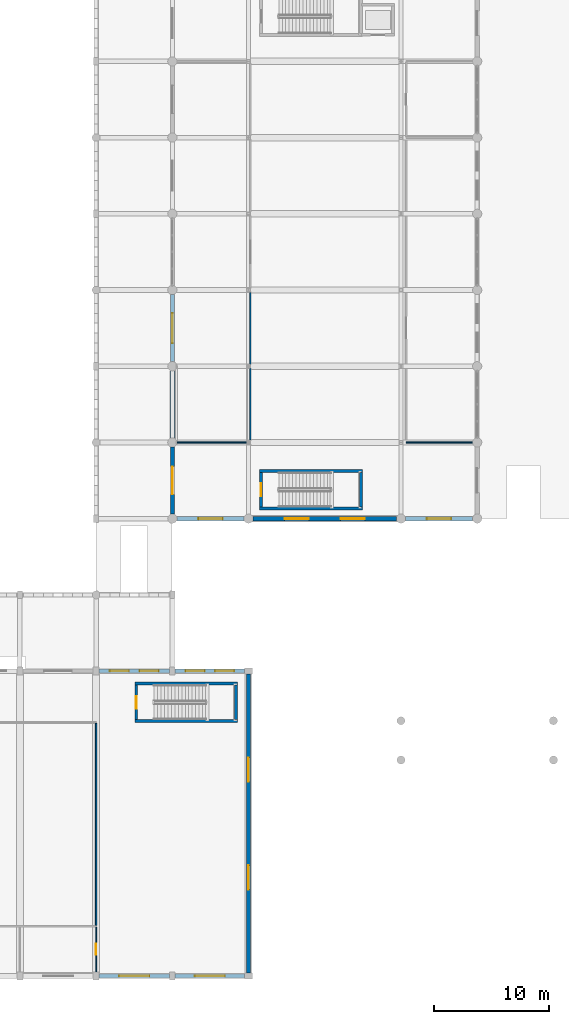
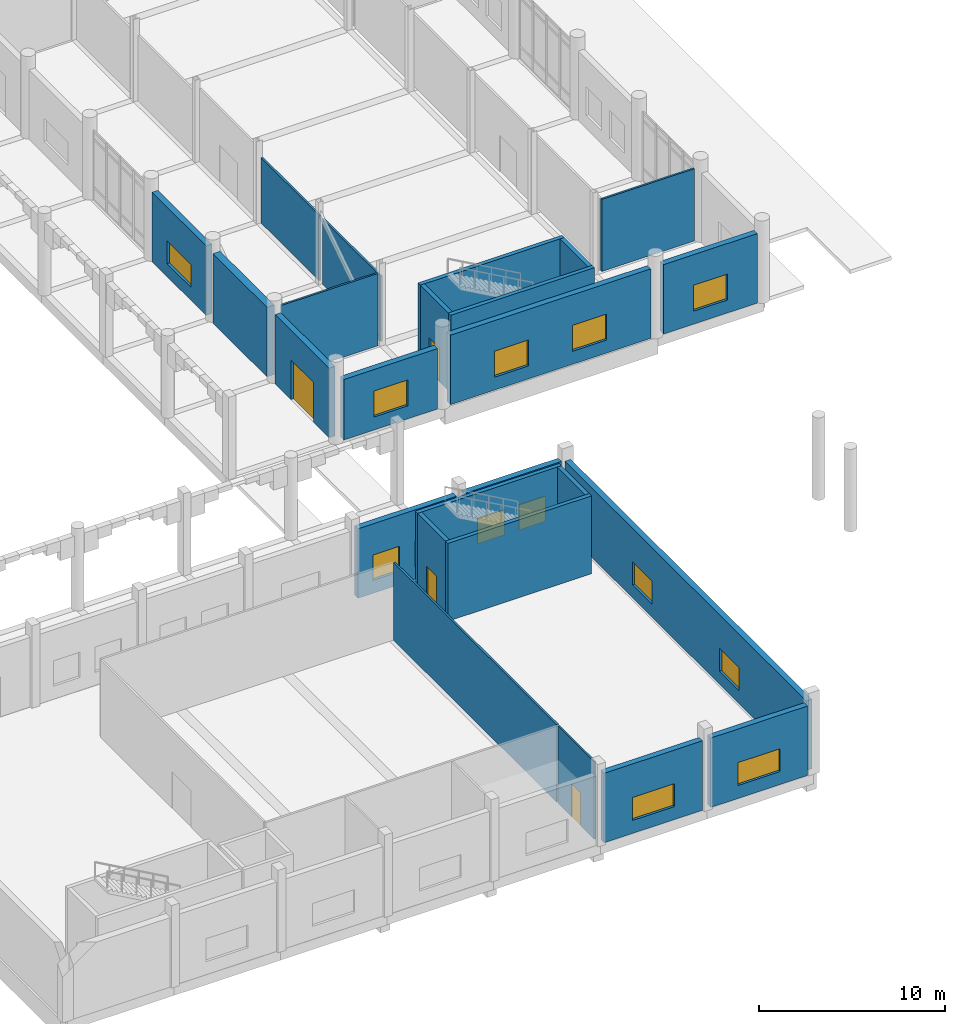
# One storey, part 45 of 72: 25 walls, 13 windows, 4 doors, 17 openings.
"""IFC4 building model written with IfcOpenShell, lengths in metres."""

from ifc_helpers import new_model, si_unit, direction, frame, frame_2d, origin, place, context, subcontext, project, spatial, rectangle, extrude, material, layer, layer_set, type_object, element, fill, save


model = new_model("IFC4")

# Units and contexts
model_context = context("Model", 3, precision=1e-05, world=origin(), true_north=direction((0.0, 1.0)))
body_context = subcontext(model_context, "Body", "Model", "MODEL_VIEW")
ifc_project = project(units=[si_unit("LENGTHUNIT", "METRE"), si_unit("AREAUNIT", "SQUARE_METRE"), si_unit("VOLUMEUNIT", "CUBIC_METRE"), si_unit("PLANEANGLEUNIT", "RADIAN"), si_unit("MASSUNIT", "GRAM", prefix="KILO")], contexts=[model_context])

# Site, building, storey
site_placement = place(None, origin())
site = spatial("IfcSite", under=ifc_project, at=site_placement, CompositionType="ELEMENT")
building_placement = place(site_placement, origin())
building = spatial("IfcBuilding", under=site, at=building_placement, Name="Dornvale Research Institute", CompositionType="ELEMENT")
storey_placement = place(building_placement, origin())
storey = spatial("IfcBuildingStorey", under=building, at=storey_placement, Name="L00", CompositionType="ELEMENT", Elevation=0.0)

# Walls
ifc_material_1 = material(Name="Acoustic Insulated Double-Stud Laboratory Partition")
ifc_layer_1 = layer(ifc_material_1, 0.1201171875)
ifc_layer_set_1 = layer_set([ifc_layer_1], Name="Acoustic Insulated Double-Stud Laboratory Partition")
wall_type_1 = type_object("IfcWallType", Name="Partition_Dry_120", PredefinedType="PARTITIONING", material=ifc_layer_set_1)
wall_1_placement = place(storey_placement, frame((40.02001953125, 46.199951171875, 0.0), z_axis=(0.0, 0.0, 1.0), x_axis=(1.0, 0.0, 0.0)))
element("IfcWall", 1, at=wall_1_placement, inside=storey, type_object=wall_type_1, Name="L00 V2 interior partition #130", PredefinedType="PARTITIONING", context=body_context, shape_type="SweptSolid", body=[
    extrude(rectangle(XDim=5.98193359375, YDim=0.1201171875, at=frame_2d((2.990966796875, 0.0))), origin(), (0.0, 0.0, 1.0), 4.72998046875),
])
for number, where, z_axis, x_axis, name in (
    (2, (46.35009765625, 46.39794921875, 0.0), (0.0, 0.0, 1.0), (0.0, 1.0, 0.0), "L00 V2 interior partition #132"),
    (3, (46.35009765625, 52.972412109375, 0.0), (0.0, 0.0, 1.0), (0.0, 1.0, 0.0), "L00 V2 interior partition #133"),
):
    element("IfcWall", number, at=place(storey_placement, frame(where, z_axis=z_axis, x_axis=x_axis)), inside=storey, type_object=wall_type_1, Name=name, PredefinedType="PARTITIONING", context=body_context, shape_type="SweptSolid", body=[
        extrude(rectangle(XDim=6.2294921875, YDim=0.1201171875, at=frame_2d((3.11474609375, 0.0))), origin(), (0.0, 0.0, 1.0), 4.280029296875),
    ])
wall_2_placement = place(storey_placement, frame((59.85009765625, 46.199951171875, 0.0), z_axis=(0.0, 0.0, 1.0), x_axis=(1.0, 0.0, 0.0)))
element("IfcWall", 4, at=wall_2_placement, inside=storey, type_object=wall_type_1, Name="L00 V2 interior partition #137", PredefinedType="PARTITIONING", context=body_context, shape_type="SweptSolid", body=[
    extrude(rectangle(XDim=5.72998046875, YDim=0.1201171875, at=frame_2d((2.864990234375, 0.0))), origin(), (0.0, 0.0, 1.0), 4.72998046875),
])
wall_3_placement = place(storey_placement, frame((33.0, 4.375, 0.0), z_axis=(0.0, 0.0, 1.0), x_axis=(0.0, 1.0, 0.0)))
element("IfcWall", 5, at=wall_3_placement, inside=storey, type_object=wall_type_1, Name="L00 V1 interior partition #145", PredefinedType="PARTITIONING", context=body_context, shape_type="SweptSolid", body=[
    extrude(rectangle(XDim=17.5, YDim=0.1201171875, at=frame_2d((8.75, 0.0))), origin(), (0.0, 0.0, 1.0), 5.080078125),
])

# Wall, opening, door
ifc_material_2 = material(Name="Acoustic Insulated Double-Stud Laboratory Partition")
ifc_layer_2 = layer(ifc_material_2, 0.10009765625)
ifc_layer_set_2 = layer_set([ifc_layer_2], Name="Acoustic Insulated Double-Stud Laboratory Partition")
wall_type_2 = type_object("IfcWallType", Name="Partition_Office_100", PredefinedType="PARTITIONING", material=ifc_layer_set_2)
wall_4_placement = place(storey_placement, frame((33.0, 0.3701171875, 0.0), z_axis=(0.0, 0.0, 1.0), x_axis=(0.0, 1.0, 0.0)))
wall_4 = element("IfcWall", 6, at=wall_4_placement, inside=storey, type_object=wall_type_2, Name="L00 V1 interior partition #148", PredefinedType="PARTITIONING", context=body_context, shape_type="SweptSolid", body=[
    extrude(rectangle(XDim=3.85498046875, YDim=0.10009765625, at=frame_2d((1.927490234375, 0.0))), origin(), (0.0, 0.0, 1.0), 5.080078125),
])
opening_1_placement = place(wall_4_placement, frame((1.449951171875, 0.0, 0.0)))
opening_1 = element("IfcOpeningElement", 7, at=opening_1_placement, cuts=wall_4, Name="Opening ID-22", PredefinedType="OPENING", context=body_context, shape_type="SweptSolid", body=[
    extrude(rectangle(XDim=0.9599609375, YDim=2.14990234375, at=frame_2d((0.47998046875, 1.074951171875))), frame((0.0, 0.06494140625, 0.0), z_axis=(0.0, -1.0, 0.0), x_axis=(1.0, 0.0, 0.0)), (0.0, 0.0, 1.0), 0.130126953125),
])
ifc_material_3 = material(Name="Phenolic-Faced Solid-Core Laboratory Door Assembly")
door_type_1 = type_object("IfcDoorType", Name="Door_Office_960x2150", OperationType="SINGLE_SWING_LEFT", PredefinedType="DOOR", material=ifc_material_3)
door_1_placement = place(opening_1_placement, origin())
door_1 = element("IfcDoor", 8, at=door_1_placement, inside=storey, type_object=door_type_1, Name="L00 Speaker Green Room and Preparation Suite door #60", OperationType="SINGLE_SWING_LEFT", OverallHeight=2.14990234375, OverallWidth=0.9599609375, PredefinedType="DOOR", context=body_context, shape_type="SweptSolid", body=[
    extrude(rectangle(XDim=0.9599609375, YDim=2.14990234375, at=frame_2d((0.47998046875, 1.074951171875))), frame((0.0, 0.02490234375, 0.0), z_axis=(0.0, -1.0, 0.0), x_axis=(1.0, 0.0, 0.0)), (0.0, 0.0, 1.0), 0.050048828125),
])
fill(opening_1, door_1)

# Walls
ifc_material_4 = material(Name="Concrete f'c 45 MPa (C35/45)", Category="concrete")
ifc_layer_3 = layer(ifc_material_4, 0.25)
ifc_layer_set_3 = layer_set([ifc_layer_3], Name="Concrete f'c 45 MPa (C35/45)")
wall_type_3 = type_object("IfcWallType", Name="ShearWall_Core_250", PredefinedType="SHEAR", material=ifc_layer_set_3)
for number, where, z_axis, x_axis, name in (
    (9, (47.14990234375, 40.47509765625, 0.0), (0.0, 0.0, 1.0), (1.0, 0.0, 0.0), "L00 ST-7 shaft shear wall south"),
    (10, (47.14990234375, 43.72509765625, 0.0), (0.0, 0.0, 1.0), (1.0, 0.0, 0.0), "L00 ST-7 shaft shear wall north"),
):
    element("IfcWall", number, at=place(storey_placement, frame(where, z_axis=z_axis, x_axis=x_axis)), inside=storey, type_object=wall_type_3, Name=name, PredefinedType="SHEAR", context=body_context, shape_type="SweptSolid", body=[
        extrude(rectangle(XDim=8.900146484375, YDim=0.25, at=frame_2d((4.4501953125, 0.0))), origin(), (0.0, 0.0, 1.0), 5.10009765625),
    ])

# Wall, opening, door
wall_5_placement = place(storey_placement, frame((47.27490234375, 40.60009765625, 0.0), z_axis=(0.0, 0.0, 1.0), x_axis=(0.0, 1.0, 0.0)))
wall_5 = element("IfcWall", 11, at=wall_5_placement, inside=storey, type_object=wall_type_3, Name="L00 ST-7 shaft shear wall west", PredefinedType="SHEAR", context=body_context, shape_type="SweptSolid", body=[
    extrude(rectangle(XDim=3.0, YDim=0.25, at=frame_2d((1.5, 0.0))), origin(), (0.0, 0.0, 1.0), 5.10009765625),
])
opening_2_placement = place(wall_5_placement, frame((0.93994140625, 0.0, 0.0)))
opening_2 = element("IfcOpeningElement", 12, at=opening_2_placement, cuts=wall_5, Name="Opening SD-01", PredefinedType="OPENING", context=body_context, shape_type="SweptSolid", body=[
    extrude(rectangle(XDim=1.1201171875, YDim=2.199951171875, at=frame_2d((0.56005859375, 1.10009765625))), frame((0.0, 0.139892578125, 0.0), z_axis=(0.0, -1.0, 0.0), x_axis=(1.0, 0.0, 0.0)), (0.0, 0.0, 1.0), 0.280029296875),
])
ifc_material_5 = material(Name="Insulated Fire-Rated Hollow Metal Door Assembly")
door_type_2 = type_object("IfcDoorType", Name="Door_Stair_1120x2200", OperationType="SINGLE_SWING_LEFT", PredefinedType="DOOR", material=ifc_material_5)
door_2_placement = place(opening_2_placement, origin())
door_2 = element("IfcDoor", 13, at=door_2_placement, inside=storey, type_object=door_type_2, Name="L00 ST-7 exit stair door #51", OperationType="SINGLE_SWING_RIGHT", OverallHeight=2.199951171875, OverallWidth=1.1201171875, PredefinedType="DOOR", context=body_context, shape_type="SweptSolid", body=[
    extrude(rectangle(XDim=1.1201171875, YDim=2.199951171875, at=frame_2d((0.56005859375, 1.10009765625))), frame((0.0, 0.02490234375, 0.0), z_axis=(0.0, -1.0, 0.0), x_axis=(1.0, 0.0, 0.0)), (0.0, 0.0, 1.0), 0.050048828125),
])
fill(opening_2, door_2)

# Walls
wall_6_placement = place(storey_placement, frame((55.925048828125, 40.60009765625, 0.0), z_axis=(0.0, 0.0, 1.0), x_axis=(0.0, 1.0, 0.0)))
element("IfcWall", 14, at=wall_6_placement, inside=storey, type_object=wall_type_3, Name="L00 ST-7 shaft shear wall east", PredefinedType="SHEAR", context=body_context, shape_type="SweptSolid", body=[
    extrude(rectangle(XDim=3.0, YDim=0.25, at=frame_2d((1.5, 0.0))), origin(), (0.0, 0.0, 1.0), 5.10009765625),
])
for number, where, z_axis, x_axis, name in (
    (15, (36.35009765625, 22.074951171875, 0.0), (0.0, 0.0, 1.0), (1.0, 0.0, 0.0), "L00 ST-10 shaft shear wall south"),
    (16, (36.35009765625, 25.324951171875, 0.0), (0.0, 0.0, 1.0), (1.0, 0.0, 0.0), "L00 ST-10 shaft shear wall north"),
):
    element("IfcWall", number, at=place(storey_placement, frame(where, z_axis=z_axis, x_axis=x_axis)), inside=storey, type_object=wall_type_3, Name=name, PredefinedType="SHEAR", context=body_context, shape_type="SweptSolid", body=[
        extrude(rectangle(XDim=8.89990234375, YDim=0.25, at=frame_2d((4.449951171875, 0.0))), origin(), (0.0, 0.0, 1.0), 5.10009765625),
    ])

# Wall, opening, door
wall_7_placement = place(storey_placement, frame((36.47509765625, 22.199951171875, 0.0), z_axis=(0.0, 0.0, 1.0), x_axis=(0.0, 1.0, 0.0)))
wall_7 = element("IfcWall", 17, at=wall_7_placement, inside=storey, type_object=wall_type_3, Name="L00 ST-10 shaft shear wall west", PredefinedType="SHEAR", context=body_context, shape_type="SweptSolid", body=[
    extrude(rectangle(XDim=3.0, YDim=0.25, at=frame_2d((1.5, 0.0))), origin(), (0.0, 0.0, 1.0), 5.10009765625),
])
opening_3_placement = place(wall_7_placement, frame((0.9599609375, 0.0, 0.0)))
opening_3 = element("IfcOpeningElement", 18, at=opening_3_placement, cuts=wall_7, Name="Opening SD-02", PredefinedType="OPENING", context=body_context, shape_type="SweptSolid", body=[
    extrude(rectangle(XDim=1.080078125, YDim=2.199951171875, at=frame_2d((0.5400390625, 1.10009765625))), frame((0.0, 0.139892578125, 0.0), z_axis=(0.0, -1.0, 0.0), x_axis=(1.0, 0.0, 0.0)), (0.0, 0.0, 1.0), 0.280029296875),
])
ifc_material_6 = material(Name="Insulated Fire-Rated Hollow Metal Door Assembly")
door_type_3 = type_object("IfcDoorType", Name="Door_Stair_1080x2200", OperationType="SINGLE_SWING_LEFT", PredefinedType="DOOR", material=ifc_material_6)
door_3_placement = place(opening_3_placement, origin())
door_3 = element("IfcDoor", 19, at=door_3_placement, inside=storey, type_object=door_type_3, Name="L00 ST-10 exit stair door #62", OperationType="SINGLE_SWING_LEFT", OverallHeight=2.199951171875, OverallWidth=1.080078125, PredefinedType="DOOR", context=body_context, shape_type="SweptSolid", body=[
    extrude(rectangle(XDim=1.080078125, YDim=2.199951171875, at=frame_2d((0.5400390625, 1.10009765625))), frame((0.0, 0.02490234375, 0.0), z_axis=(0.0, -1.0, 0.0), x_axis=(1.0, 0.0, 0.0)), (0.0, 0.0, 1.0), 0.050048828125),
])
fill(opening_3, door_3)

# Walls
wall_8_placement = place(storey_placement, frame((45.125, 22.199951171875, 0.0), z_axis=(0.0, 0.0, 1.0), x_axis=(0.0, 1.0, 0.0)))
element("IfcWall", 20, at=wall_8_placement, inside=storey, type_object=wall_type_3, Name="L00 ST-10 shaft shear wall east", PredefinedType="SHEAR", context=body_context, shape_type="SweptSolid", body=[
    extrude(rectangle(XDim=3.0, YDim=0.25, at=frame_2d((1.5, 0.0))), origin(), (0.0, 0.0, 1.0), 5.10009765625),
])
ifc_material_7 = material(Name="Precast Concrete f'c 40 MPa (C32/40) and Glazed Terracotta Backup Wall", Category="masonry")
ifc_layer_4 = layer(ifc_material_7, 0.449951171875)
ifc_layer_set_4 = layer_set([ifc_layer_4], Name="Precast Concrete f'c 40 MPa (C32/40) and Glazed Terracotta Backup Wall")
wall_type_4 = type_object("IfcWallType", Name="SolidWall_ShearBraceBay_450", PredefinedType="SOLIDWALL", material=ifc_layer_set_4)
wall_9_placement = place(storey_placement, frame((39.60009765625, 46.594970703125, 0.0), z_axis=(0.0, 0.0, 1.0), x_axis=(0.0, 1.0, 0.0)))
element("IfcWall", 21, at=wall_9_placement, inside=storey, type_object=wall_type_4, Name="L00 V2 west exterior wall #50", PredefinedType="SOLIDWALL", context=body_context, shape_type="SweptSolid", body=[
    extrude(rectangle(XDim=5.81005859375, YDim=0.449951171875, at=frame_2d((2.905029296875, 0.0))), origin(), (0.0, 0.0, 1.0), 4.550048828125),
])

# Wall, openings, windows
ifc_material_8 = material(Name="Catalan Pressed Brick and Insulated Cavity Assembly", Category="masonry")
ifc_layer_5 = layer(ifc_material_8, 0.360107421875)
ifc_layer_set_5 = layer_set([ifc_layer_5], Name="Catalan Pressed Brick and Insulated Cavity Assembly")
wall_type_5 = type_object("IfcWallType", Name="StandardWall_BrickCavity_360", PredefinedType="STANDARD", material=ifc_layer_set_5)
wall_10_placement = place(storey_placement, frame((33.25, 26.39990234375, 0.0), z_axis=(0.0, 0.0, 1.0), x_axis=(1.0, 0.0, 0.0)))
wall_10 = element("IfcWall", 22, at=wall_10_placement, inside=storey, type_object=wall_type_5, Name="L00 V1 north exterior wall #7", PredefinedType="STANDARD", context=body_context, shape_type="SweptSolid", body=[
    extrude(rectangle(XDim=6.10009765625, YDim=0.360107421875, at=frame_2d((3.050048828125, 0.0))), origin(), (0.0, 0.0, 1.0), 4.550048828125),
])
opening_4_placement = place(wall_10_placement, frame((0.933349609375, 0.0, 0.85009765625)))
opening_4 = element("IfcOpeningElement", 23, at=opening_4_placement, cuts=wall_10, Name="Opening W-04", PredefinedType="OPENING", context=body_context, shape_type="SweptSolid", body=[
    extrude(rectangle(XDim=1.64990234375, YDim=1.659912109375, at=frame_2d((0.824951171875, 0.830078125))), frame((0.0, 0.195068359375, 0.0), z_axis=(0.0, -1.0, 0.0), x_axis=(1.0, 0.0, 0.0)), (0.0, 0.0, 1.0), 0.39013671875),
])
opening_5_placement = place(wall_10_placement, frame((3.5166015625, 0.0, 0.85009765625)))
opening_5 = element("IfcOpeningElement", 24, at=opening_5_placement, cuts=wall_10, Name="Opening W-04", PredefinedType="OPENING", context=body_context, shape_type="SweptSolid", body=[
    extrude(rectangle(XDim=1.64990234375, YDim=1.659912109375, at=frame_2d((0.824951171875, 0.830078125))), frame((0.0, 0.195068359375, 0.0), z_axis=(0.0, -1.0, 0.0), x_axis=(1.0, 0.0, 0.0)), (0.0, 0.0, 1.0), 0.39013671875),
])
ifc_material_9 = material(Name="Low-E Argon Double Insulating Glazing Unit", Category="glass")
window_type_1 = type_object("IfcWindowType", Name="Window_Alu_1650x1660_04", PartitioningType="SINGLE_PANEL", PredefinedType="WINDOW", material=ifc_material_9)
window_1_placement = place(opening_4_placement, origin())
window_1 = element("IfcWindow", 25, at=window_1_placement, inside=storey, type_object=window_type_1, Name="L00 V1 facade window W-04 #9", OverallHeight=1.659912109375, OverallWidth=1.64990234375, PartitioningType="SINGLE_PANEL", PredefinedType="WINDOW", context=body_context, shape_type="SweptSolid", body=[
    extrude(rectangle(XDim=1.64990234375, YDim=1.659912109375, at=frame_2d((0.824951171875, 0.830078125))), frame((0.0, 0.030029296875, 0.0), z_axis=(0.0, -1.0, 0.0), x_axis=(1.0, 0.0, 0.0)), (0.0, 0.0, 1.0), 0.06005859375),
])
fill(opening_4, window_1)
window_2_placement = place(opening_5_placement, origin())
window_2 = element("IfcWindow", 26, at=window_2_placement, inside=storey, type_object=window_type_1, Name="L00 V1 facade window W-04 #10", OverallHeight=1.659912109375, OverallWidth=1.64990234375, PartitioningType="SINGLE_PANEL", PredefinedType="WINDOW", context=body_context, shape_type="SweptSolid", body=[
    extrude(rectangle(XDim=1.64990234375, YDim=1.659912109375, at=frame_2d((0.824951171875, 0.830078125))), frame((0.0, 0.030029296875, 0.0), z_axis=(0.0, -1.0, 0.0), x_axis=(1.0, 0.0, 0.0)), (0.0, 0.0, 1.0), 0.06005859375),
])
fill(opening_5, window_2)

wall_11_placement = place(storey_placement, frame((39.85009765625, 26.39990234375, 0.0), z_axis=(0.0, 0.0, 1.0), x_axis=(1.0, 0.0, 0.0)))
wall_11 = element("IfcWall", 27, at=wall_11_placement, inside=storey, type_object=wall_type_5, Name="L00 V1 north exterior wall #8", PredefinedType="STANDARD", context=body_context, shape_type="SweptSolid", body=[
    extrude(rectangle(XDim=6.0, YDim=0.360107421875, at=frame_2d((3.0, 0.0))), origin(), (0.0, 0.0, 1.0), 4.550048828125),
])
opening_6_placement = place(wall_11_placement, frame((0.89990234375, 0.0, 0.85009765625)))
opening_6 = element("IfcOpeningElement", 28, at=opening_6_placement, cuts=wall_11, Name="Opening W-04", PredefinedType="OPENING", context=body_context, shape_type="SweptSolid", body=[
    extrude(rectangle(XDim=1.64990234375, YDim=1.659912109375, at=frame_2d((0.824951171875, 0.830078125))), frame((0.0, 0.195068359375, 0.0), z_axis=(0.0, -1.0, 0.0), x_axis=(1.0, 0.0, 0.0)), (0.0, 0.0, 1.0), 0.39013671875),
])
opening_7_placement = place(wall_11_placement, frame((3.449951171875, 0.0, 0.85009765625)))
opening_7 = element("IfcOpeningElement", 29, at=opening_7_placement, cuts=wall_11, Name="Opening W-04", PredefinedType="OPENING", context=body_context, shape_type="SweptSolid", body=[
    extrude(rectangle(XDim=1.64990234375, YDim=1.659912109375, at=frame_2d((0.824951171875, 0.830078125))), frame((0.0, 0.195068359375, 0.0), z_axis=(0.0, -1.0, 0.0), x_axis=(1.0, 0.0, 0.0)), (0.0, 0.0, 1.0), 0.39013671875),
])
window_3_placement = place(opening_6_placement, origin())
window_3 = element("IfcWindow", 30, at=window_3_placement, inside=storey, type_object=window_type_1, Name="L00 V1 facade window W-04 #11", OverallHeight=1.659912109375, OverallWidth=1.64990234375, PartitioningType="SINGLE_PANEL", PredefinedType="WINDOW", context=body_context, shape_type="SweptSolid", body=[
    extrude(rectangle(XDim=1.64990234375, YDim=1.659912109375, at=frame_2d((0.824951171875, 0.830078125))), frame((0.0, 0.030029296875, 0.0), z_axis=(0.0, -1.0, 0.0), x_axis=(1.0, 0.0, 0.0)), (0.0, 0.0, 1.0), 0.06005859375),
])
fill(opening_6, window_3)
window_4_placement = place(opening_7_placement, origin())
window_4 = element("IfcWindow", 31, at=window_4_placement, inside=storey, type_object=window_type_1, Name="L00 V1 facade window W-04 #12", OverallHeight=1.659912109375, OverallWidth=1.64990234375, PartitioningType="SINGLE_PANEL", PredefinedType="WINDOW", context=body_context, shape_type="SweptSolid", body=[
    extrude(rectangle(XDim=1.64990234375, YDim=1.659912109375, at=frame_2d((0.824951171875, 0.830078125))), frame((0.0, 0.030029296875, 0.0), z_axis=(0.0, -1.0, 0.0), x_axis=(1.0, 0.0, 0.0)), (0.0, 0.0, 1.0), 0.06005859375),
])
fill(opening_7, window_4)

wall_12_placement = place(storey_placement, frame((46.199951171875, 26.14990234375, 0.0), z_axis=(0.0, 0.0, 1.0), x_axis=(0.0, -1.0, 0.0)))
wall_12 = element("IfcWall", 32, at=wall_12_placement, inside=storey, type_object=wall_type_5, Name="L00 V1 east exterior wall #9", PredefinedType="STANDARD", context=body_context, shape_type="SweptSolid", body=[
    extrude(rectangle(XDim=25.89990234375, YDim=0.360107421875, at=frame_2d((12.949951171875, 0.0))), origin(), (0.0, 0.0, 1.0), 4.550048828125),
])
opening_8_placement = place(wall_12_placement, frame((7.2333984375, 0.0, 0.85009765625)))
opening_8 = element("IfcOpeningElement", 33, at=opening_8_placement, cuts=wall_12, Name="Opening W-07", PredefinedType="OPENING", context=body_context, shape_type="SweptSolid", body=[
    extrude(rectangle(XDim=2.10009765625, YDim=1.5, at=frame_2d((1.050048828125, 0.75))), frame((0.0, 0.195068359375, 0.0), z_axis=(0.0, -1.0, 0.0), x_axis=(1.0, 0.0, 0.0)), (0.0, 0.0, 1.0), 0.39013671875),
])
opening_9_placement = place(wall_12_placement, frame((16.566650390625, 0.0, 0.85009765625)))
opening_9 = element("IfcOpeningElement", 34, at=opening_9_placement, cuts=wall_12, Name="Opening W-07", PredefinedType="OPENING", context=body_context, shape_type="SweptSolid", body=[
    extrude(rectangle(XDim=2.10009765625, YDim=1.5, at=frame_2d((1.050048828125, 0.75))), frame((0.0, 0.195068359375, 0.0), z_axis=(0.0, -1.0, 0.0), x_axis=(1.0, 0.0, 0.0)), (0.0, 0.0, 1.0), 0.39013671875),
])
ifc_material_10 = material(Name="Low-E Argon Double Insulating Glazing Unit", Category="glass")
window_type_2 = type_object("IfcWindowType", Name="Window_Alu_2100x1500_07", PartitioningType="DOUBLE_PANEL_VERTICAL", PredefinedType="WINDOW", material=ifc_material_10)
window_5_placement = place(opening_8_placement, origin())
window_5 = element("IfcWindow", 35, at=window_5_placement, inside=storey, type_object=window_type_2, Name="L00 V1 facade window W-07 #13", OverallHeight=1.5, OverallWidth=2.10009765625, PartitioningType="DOUBLE_PANEL_VERTICAL", PredefinedType="WINDOW", context=body_context, shape_type="SweptSolid", body=[
    extrude(rectangle(XDim=2.10009765625, YDim=1.5, at=frame_2d((1.050048828125, 0.75))), frame((0.0, 0.030029296875, 0.0), z_axis=(0.0, -1.0, 0.0), x_axis=(1.0, 0.0, 0.0)), (0.0, 0.0, 1.0), 0.06005859375),
])
fill(opening_8, window_5)
window_6_placement = place(opening_9_placement, origin())
window_6 = element("IfcWindow", 36, at=window_6_placement, inside=storey, type_object=window_type_2, Name="L00 V1 facade window W-07 #14", OverallHeight=1.5, OverallWidth=2.10009765625, PartitioningType="DOUBLE_PANEL_VERTICAL", PredefinedType="WINDOW", context=body_context, shape_type="SweptSolid", body=[
    extrude(rectangle(XDim=2.10009765625, YDim=1.5, at=frame_2d((1.050048828125, 0.75))), frame((0.0, 0.030029296875, 0.0), z_axis=(0.0, -1.0, 0.0), x_axis=(1.0, 0.0, 0.0)), (0.0, 0.0, 1.0), 0.06005859375),
])
fill(opening_9, window_6)

# Wall, opening, window
wall_13_placement = place(storey_placement, frame((45.85009765625, 0.0, 0.0), z_axis=(0.0, 0.0, 1.0), x_axis=(-1.0, 0.0, 0.0)))
wall_13 = element("IfcWall", 37, at=wall_13_placement, inside=storey, type_object=wall_type_5, Name="L00 V1 south exterior wall #10", PredefinedType="STANDARD", context=body_context, shape_type="SweptSolid", body=[
    extrude(rectangle(XDim=6.0, YDim=0.360107421875, at=frame_2d((3.0, 0.0))), origin(), (0.0, 0.0, 1.0), 4.550048828125),
])
opening_10_placement = place(wall_13_placement, frame((1.699951171875, 0.0, 0.85009765625)))
opening_10 = element("IfcOpeningElement", 38, at=opening_10_placement, cuts=wall_13, Name="Opening W-10", PredefinedType="OPENING", context=body_context, shape_type="SweptSolid", body=[
    extrude(rectangle(XDim=2.60009765625, YDim=1.5, at=frame_2d((1.300048828125, 0.75))), frame((0.0, 0.195068359375, 0.0), z_axis=(0.0, -1.0, 0.0), x_axis=(1.0, 0.0, 0.0)), (0.0, 0.0, 1.0), 0.39013671875),
])
ifc_material_11 = material(Name="Low-E Argon Double Insulating Glazing Unit", Category="glass")
window_type_3 = type_object("IfcWindowType", Name="Window_Alu_2600x1500_10", PartitioningType="DOUBLE_PANEL_VERTICAL", PredefinedType="WINDOW", material=ifc_material_11)
window_7_placement = place(opening_10_placement, origin())
window_7 = element("IfcWindow", 39, at=window_7_placement, inside=storey, type_object=window_type_3, Name="L00 V1 facade window W-10 #15", OverallHeight=1.5, OverallWidth=2.60009765625, PartitioningType="DOUBLE_PANEL_VERTICAL", PredefinedType="WINDOW", context=body_context, shape_type="SweptSolid", body=[
    extrude(rectangle(XDim=2.60009765625, YDim=1.5, at=frame_2d((1.300048828125, 0.75))), frame((0.0, 0.030029296875, 0.0), z_axis=(0.0, -1.0, 0.0), x_axis=(1.0, 0.0, 0.0)), (0.0, 0.0, 1.0), 0.06005859375),
])
fill(opening_10, window_7)

wall_14_placement = place(storey_placement, frame((39.35009765625, 0.0, 0.0), z_axis=(0.0, 0.0, 1.0), x_axis=(-1.0, 0.0, 0.0)))
wall_14 = element("IfcWall", 40, at=wall_14_placement, inside=storey, type_object=wall_type_5, Name="L00 V1 south exterior wall #11", PredefinedType="STANDARD", context=body_context, shape_type="SweptSolid", body=[
    extrude(rectangle(XDim=6.10009765625, YDim=0.360107421875, at=frame_2d((3.050048828125, 0.0))), origin(), (0.0, 0.0, 1.0), 4.550048828125),
])
opening_11_placement = place(wall_14_placement, frame((1.75, 0.0, 0.85009765625)))
opening_11 = element("IfcOpeningElement", 41, at=opening_11_placement, cuts=wall_14, Name="Opening W-10", PredefinedType="OPENING", context=body_context, shape_type="SweptSolid", body=[
    extrude(rectangle(XDim=2.60009765625, YDim=1.5, at=frame_2d((1.300048828125, 0.75))), frame((0.0, 0.195068359375, 0.0), z_axis=(0.0, -1.0, 0.0), x_axis=(1.0, 0.0, 0.0)), (0.0, 0.0, 1.0), 0.39013671875),
])
window_8_placement = place(opening_11_placement, origin())
window_8 = element("IfcWindow", 42, at=window_8_placement, inside=storey, type_object=window_type_3, Name="L00 V1 facade window W-10 #16", OverallHeight=1.5, OverallWidth=2.60009765625, PartitioningType="DOUBLE_PANEL_VERTICAL", PredefinedType="WINDOW", context=body_context, shape_type="SweptSolid", body=[
    extrude(rectangle(XDim=2.60009765625, YDim=1.5, at=frame_2d((1.300048828125, 0.75))), frame((0.0, 0.030029296875, 0.0), z_axis=(0.0, -1.0, 0.0), x_axis=(1.0, 0.0, 0.0)), (0.0, 0.0, 1.0), 0.06005859375),
])
fill(opening_11, window_8)

# Wall, opening, door
wall_15_placement = place(storey_placement, frame((39.60009765625, 39.9951171875, 0.0), z_axis=(0.0, 0.0, 1.0), x_axis=(0.0, 1.0, 0.0)))
wall_15 = element("IfcWall", 43, at=wall_15_placement, inside=storey, type_object=wall_type_5, Name="L00 V2 west exterior wall #49", PredefinedType="STANDARD", context=body_context, shape_type="SweptSolid", body=[
    extrude(rectangle(XDim=5.809814453125, YDim=0.360107421875, at=frame_2d((2.90478515625, 0.0))), origin(), (0.0, 0.0, 1.0), 4.550048828125),
])
opening_12_placement = place(wall_15_placement, frame((1.705078125, 0.0, 0.0)))
opening_12 = element("IfcOpeningElement", 44, at=opening_12_placement, cuts=wall_15, Name="Opening ED-01", PredefinedType="OPENING", context=body_context, shape_type="SweptSolid", body=[
    extrude(rectangle(XDim=2.39990234375, YDim=2.60009765625, at=frame_2d((1.199951171875, 1.300048828125))), frame((0.0, 0.195068359375, 0.0), z_axis=(0.0, -1.0, 0.0), x_axis=(1.0, 0.0, 0.0)), (0.0, 0.0, 1.0), 0.39013671875),
])
ifc_material_12 = material(Name="Galvanized Hollow Metal Insulated Door Assembly")
door_type_4 = type_object("IfcDoorType", Name="Door_ExtPortal_2400x2600", OperationType="SINGLE_SWING_LEFT", PredefinedType="DOOR", material=ifc_material_12)
door_4_placement = place(opening_12_placement, origin())
door_4 = element("IfcDoor", 45, at=door_4_placement, inside=storey, type_object=door_type_4, Name="L00 V2 final exit door ED-01 #6", OperationType="DOUBLE_DOOR_SINGLE_SWING", OverallHeight=2.60009765625, OverallWidth=2.39990234375, PredefinedType="DOOR", context=body_context, shape_type="SweptSolid", body=[
    extrude(rectangle(XDim=2.39990234375, YDim=2.60009765625, at=frame_2d((1.199951171875, 1.300048828125))), frame((0.0, 0.02490234375, 0.0), z_axis=(0.0, -1.0, 0.0), x_axis=(1.0, 0.0, 0.0)), (0.0, 0.0, 1.0), 0.050048828125),
])
fill(opening_12, door_4)

# Wall, opening, window
wall_16_placement = place(storey_placement, frame((39.60009765625, 53.195068359375, 0.0), z_axis=(0.0, 0.0, 1.0), x_axis=(0.0, 1.0, 0.0)))
wall_16 = element("IfcWall", 46, at=wall_16_placement, inside=storey, type_object=wall_type_5, Name="L00 V2 west exterior wall #51", PredefinedType="STANDARD", context=body_context, shape_type="SweptSolid", body=[
    extrude(rectangle(XDim=5.809814453125, YDim=0.360107421875, at=frame_2d((2.90478515625, 0.0))), origin(), (0.0, 0.0, 1.0), 4.550048828125),
])
opening_13_placement = place(wall_16_placement, frame((1.60498046875, 0.0, 0.85009765625)))
opening_13 = element("IfcOpeningElement", 47, at=opening_13_placement, cuts=wall_16, Name="Opening W-10", PredefinedType="OPENING", context=body_context, shape_type="SweptSolid", body=[
    extrude(rectangle(XDim=2.60009765625, YDim=1.5, at=frame_2d((1.300048828125, 0.75))), frame((0.0, 0.195068359375, 0.0), z_axis=(0.0, -1.0, 0.0), x_axis=(1.0, 0.0, 0.0)), (0.0, 0.0, 1.0), 0.39013671875),
])
window_9_placement = place(opening_13_placement, origin())
window_9 = element("IfcWindow", 48, at=window_9_placement, inside=storey, type_object=window_type_3, Name="L00 V2 facade window W-10 #63", OverallHeight=1.5, OverallWidth=2.60009765625, PartitioningType="DOUBLE_PANEL_VERTICAL", PredefinedType="WINDOW", context=body_context, shape_type="SweptSolid", body=[
    extrude(rectangle(XDim=2.60009765625, YDim=1.5, at=frame_2d((1.300048828125, 0.75))), frame((0.0, 0.030029296875, 0.0), z_axis=(0.0, -1.0, 0.0), x_axis=(1.0, 0.0, 0.0)), (0.0, 0.0, 1.0), 0.06005859375),
])
fill(opening_13, window_9)

wall_17_placement = place(storey_placement, frame((65.60498046875, 39.60009765625, 0.0), z_axis=(0.0, 0.0, 1.0), x_axis=(-1.0, 0.0, 0.0)))
wall_17 = element("IfcWall", 49, at=wall_17_placement, inside=storey, type_object=wall_type_5, Name="L00 V2 south exterior wall #62", PredefinedType="STANDARD", context=body_context, shape_type="SweptSolid", body=[
    extrude(rectangle(XDim=5.81005859375, YDim=0.360107421875, at=frame_2d((2.905029296875, 0.0))), origin(), (0.0, 0.0, 1.0), 4.550048828125),
])
opening_14_placement = place(wall_17_placement, frame((1.85498046875, 0.0, 0.85009765625)))
opening_14 = element("IfcOpeningElement", 50, at=opening_14_placement, cuts=wall_17, Name="Opening W-19", PredefinedType="OPENING", context=body_context, shape_type="SweptSolid", body=[
    extrude(rectangle(XDim=2.10009765625, YDim=1.699951171875, at=frame_2d((1.050048828125, 0.85009765625))), frame((0.0, 0.195068359375, 0.0), z_axis=(0.0, -1.0, 0.0), x_axis=(1.0, 0.0, 0.0)), (0.0, 0.0, 1.0), 0.39013671875),
])
ifc_material_13 = material(Name="Low-E Argon Double Insulating Glazing Unit", Category="glass")
window_type_4 = type_object("IfcWindowType", Name="Window_Alu_2100x1700_19", PartitioningType="DOUBLE_PANEL_VERTICAL", PredefinedType="WINDOW", material=ifc_material_13)
window_10_placement = place(opening_14_placement, origin())
window_10 = element("IfcWindow", 51, at=window_10_placement, inside=storey, type_object=window_type_4, Name="L00 V2 facade window W-19 #76", OverallHeight=1.699951171875, OverallWidth=2.10009765625, PartitioningType="DOUBLE_PANEL_VERTICAL", PredefinedType="WINDOW", context=body_context, shape_type="SweptSolid", body=[
    extrude(rectangle(XDim=2.10009765625, YDim=1.699951171875, at=frame_2d((1.050048828125, 0.85009765625))), frame((0.0, 0.030029296875, 0.0), z_axis=(0.0, -1.0, 0.0), x_axis=(1.0, 0.0, 0.0)), (0.0, 0.0, 1.0), 0.06005859375),
])
fill(opening_14, window_10)

# Wall, openings, windows
wall_18_placement = place(storey_placement, frame((59.0048828125, 39.60009765625, 0.0), z_axis=(0.0, 0.0, 1.0), x_axis=(-1.0, 0.0, 0.0)))
wall_18 = element("IfcWall", 52, at=wall_18_placement, inside=storey, type_object=wall_type_5, Name="L00 V2 south exterior wall #63", PredefinedType="STANDARD", context=body_context, shape_type="SweptSolid", body=[
    extrude(rectangle(XDim=12.409912109375, YDim=0.360107421875, at=frame_2d((6.205078125, 0.0))), origin(), (0.0, 0.0, 1.0), 4.550048828125),
])
opening_15_placement = place(wall_18_placement, frame((2.73681640625, 0.0, 0.85009765625)))
opening_15 = element("IfcOpeningElement", 53, at=opening_15_placement, cuts=wall_18, Name="Opening W-19", PredefinedType="OPENING", context=body_context, shape_type="SweptSolid", body=[
    extrude(rectangle(XDim=2.10009765625, YDim=1.699951171875, at=frame_2d((1.050048828125, 0.85009765625))), frame((0.0, 0.195068359375, 0.0), z_axis=(0.0, -1.0, 0.0), x_axis=(1.0, 0.0, 0.0)), (0.0, 0.0, 1.0), 0.39013671875),
])
opening_16_placement = place(wall_18_placement, frame((7.573486328125, 0.0, 0.85009765625)))
opening_16 = element("IfcOpeningElement", 54, at=opening_16_placement, cuts=wall_18, Name="Opening W-19", PredefinedType="OPENING", context=body_context, shape_type="SweptSolid", body=[
    extrude(rectangle(XDim=2.10009765625, YDim=1.699951171875, at=frame_2d((1.050048828125, 0.85009765625))), frame((0.0, 0.195068359375, 0.0), z_axis=(0.0, -1.0, 0.0), x_axis=(1.0, 0.0, 0.0)), (0.0, 0.0, 1.0), 0.39013671875),
])
window_11_placement = place(opening_15_placement, origin())
window_11 = element("IfcWindow", 55, at=window_11_placement, inside=storey, type_object=window_type_4, Name="L00 V2 facade window W-19 #77", OverallHeight=1.699951171875, OverallWidth=2.10009765625, PartitioningType="DOUBLE_PANEL_VERTICAL", PredefinedType="WINDOW", context=body_context, shape_type="SweptSolid", body=[
    extrude(rectangle(XDim=2.10009765625, YDim=1.699951171875, at=frame_2d((1.050048828125, 0.85009765625))), frame((0.0, 0.030029296875, 0.0), z_axis=(0.0, -1.0, 0.0), x_axis=(1.0, 0.0, 0.0)), (0.0, 0.0, 1.0), 0.06005859375),
])
fill(opening_15, window_11)
window_12_placement = place(opening_16_placement, origin())
window_12 = element("IfcWindow", 56, at=window_12_placement, inside=storey, type_object=window_type_4, Name="L00 V2 facade window W-19 #78", OverallHeight=1.699951171875, OverallWidth=2.10009765625, PartitioningType="DOUBLE_PANEL_VERTICAL", PredefinedType="WINDOW", context=body_context, shape_type="SweptSolid", body=[
    extrude(rectangle(XDim=2.10009765625, YDim=1.699951171875, at=frame_2d((1.050048828125, 0.85009765625))), frame((0.0, 0.030029296875, 0.0), z_axis=(0.0, -1.0, 0.0), x_axis=(1.0, 0.0, 0.0)), (0.0, 0.0, 1.0), 0.06005859375),
])
fill(opening_16, window_12)

# Wall, opening, window
wall_19_placement = place(storey_placement, frame((45.804931640625, 39.60009765625, 0.0), z_axis=(0.0, 0.0, 1.0), x_axis=(-1.0, 0.0, 0.0)))
wall_19 = element("IfcWall", 57, at=wall_19_placement, inside=storey, type_object=wall_type_5, Name="L00 V2 south exterior wall #64", PredefinedType="STANDARD", context=body_context, shape_type="SweptSolid", body=[
    extrude(rectangle(XDim=5.809814453125, YDim=0.360107421875, at=frame_2d((2.90478515625, 0.0))), origin(), (0.0, 0.0, 1.0), 3.9599609375),
])
opening_17_placement = place(wall_19_placement, frame((1.85498046875, 0.0, 0.85009765625)))
opening_17 = element("IfcOpeningElement", 58, at=opening_17_placement, cuts=wall_19, Name="Opening W-19", PredefinedType="OPENING", context=body_context, shape_type="SweptSolid", body=[
    extrude(rectangle(XDim=2.10009765625, YDim=1.699951171875, at=frame_2d((1.050048828125, 0.85009765625))), frame((0.0, 0.195068359375, 0.0), z_axis=(0.0, -1.0, 0.0), x_axis=(1.0, 0.0, 0.0)), (0.0, 0.0, 1.0), 0.39013671875),
])
window_13_placement = place(opening_17_placement, origin())
window_13 = element("IfcWindow", 59, at=window_13_placement, inside=storey, type_object=window_type_4, Name="L00 V2 facade window W-19 #79", OverallHeight=1.699951171875, OverallWidth=2.10009765625, PartitioningType="DOUBLE_PANEL_VERTICAL", PredefinedType="WINDOW", context=body_context, shape_type="SweptSolid", body=[
    extrude(rectangle(XDim=2.10009765625, YDim=1.699951171875, at=frame_2d((1.050048828125, 0.85009765625))), frame((0.0, 0.030029296875, 0.0), z_axis=(0.0, -1.0, 0.0), x_axis=(1.0, 0.0, 0.0)), (0.0, 0.0, 1.0), 0.06005859375),
])
fill(opening_17, window_13)

save(model, "model.ifc")
